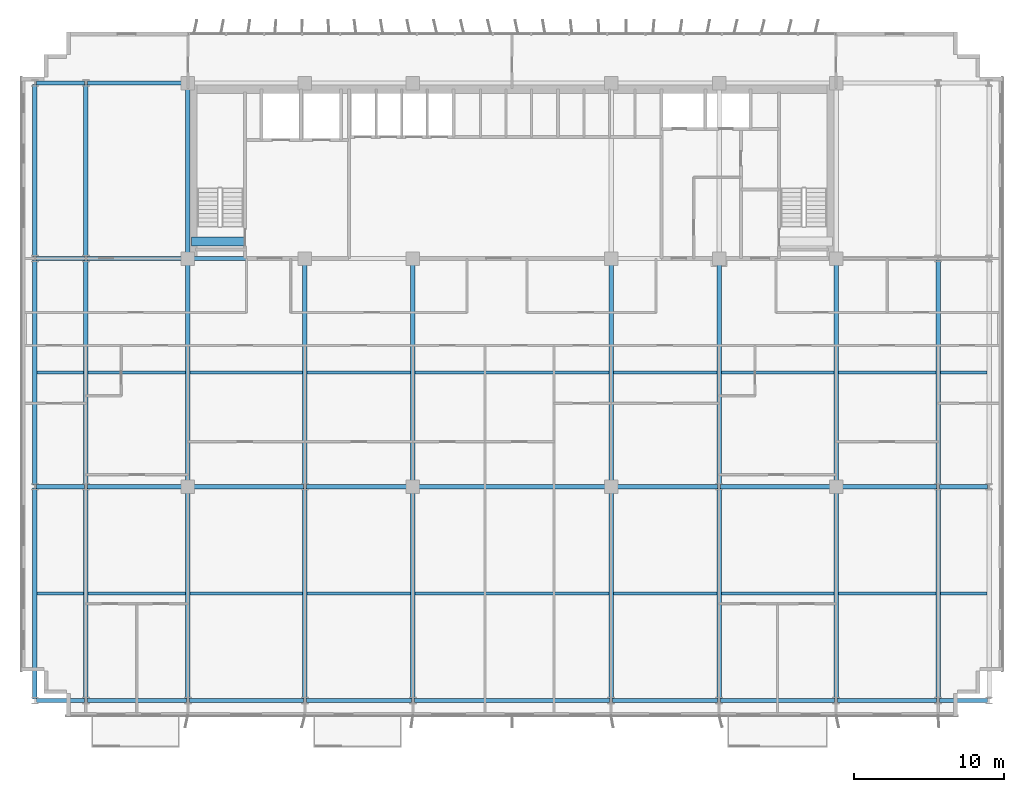
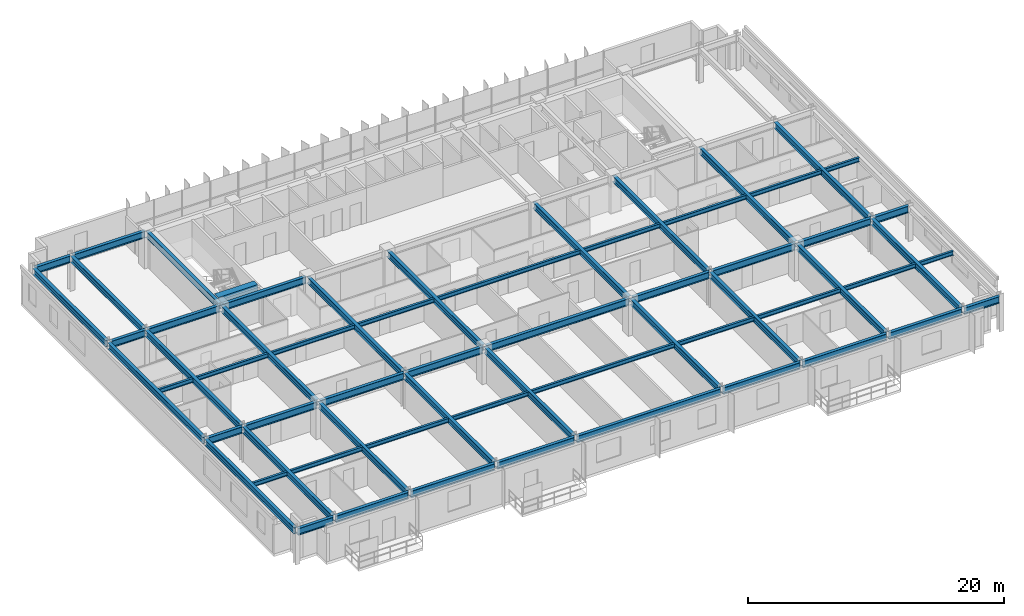
# One storey, part 4 of 22: 63 beams.
"""IFC4 building model written with IfcOpenShell, lengths in metres."""

from ifc_helpers import new_model, si_unit, direction, frame, origin, origin_2d, place, context, subcontext, project, spatial, rectangle, i_section, extrude, source, transform, mapped, material, material_profile, profile_set, type_object, element, save


model = new_model("IFC4")

# Units and contexts
model_context = context("Model", 3, precision=1e-05, world=origin(), true_north=direction((0.0, 1.0)))
body_context = subcontext(model_context, "Body", "Model", "MODEL_VIEW")
ifc_project = project(units=[si_unit("LENGTHUNIT", "METRE"), si_unit("AREAUNIT", "SQUARE_METRE"), si_unit("VOLUMEUNIT", "CUBIC_METRE"), si_unit("PLANEANGLEUNIT", "RADIAN"), si_unit("MASSUNIT", "GRAM", prefix="KILO")], contexts=[model_context])

# Site, building, storey
site_placement = place(None, origin())
site = spatial("IfcSite", under=ifc_project, at=site_placement, CompositionType="ELEMENT")
building_placement = place(site_placement, origin())
building = spatial("IfcBuilding", under=site, at=building_placement, Name="Trelvane Seafront Commons", CompositionType="ELEMENT")
storey_placement = place(building_placement, frame((0.0, 0.0, 55.89990234375)))
storey = spatial("IfcBuildingStorey", under=building, at=storey_placement, Name="L14", CompositionType="ELEMENT", Elevation=55.89990234375)

# Beams
ifc_material_1 = material(Name="Concrete C60/75", Category="concrete")
ifc_material_profile_1 = material_profile(ifc_material_1, rectangle(XDim=0.60009765625, YDim=0.89990234375, at=origin_2d()), Name="RC-600x900")
ifc_profile_set_1 = profile_set([ifc_material_profile_1], Name="Concrete C60/75")
beam_type_1 = type_object("IfcBeamType", Name="STR-LNT-RC600x900", PredefinedType="LINTEL", material=ifc_profile_set_1)
shared_shape_1 = source(origin(), body_context, "Body", "SweptSolid", [
    extrude(rectangle(XDim=0.60009765625, YDim=0.89990234375, at=origin_2d()), origin(), (0.0, 0.0, 1.0), 3.5498046875),
])
beam_1_placement = place(storey_placement, frame((15.85009765625, 34.550048828125, 2.89013671875), z_axis=(1.0, 0.0, 0.0), x_axis=(0.0, 1.0, 0.0)))
element("IfcBeam", 1, at=beam_1_placement, inside=storey, type_object=beam_type_1, Name="L14 Core Coupling Lintel Beam CB-85", PredefinedType="LINTEL", context=body_context, shape_type="MappedRepresentation", body=[
    mapped(shared_shape_1, transform((0.0, 0.0, 0.0), x_axis=(1.0, 0.0, 0.0), y_axis=(0.0, 1.0, 0.0), z_axis=(0.0, 0.0, 1.0), scale=1.0)),
])
ifc_material_2 = material(Name="Steel SM355 (S355)", Category="steel")
ifc_material_profile_2 = material_profile(ifc_material_2, i_section(OverallWidth=0.280029296875, OverallDepth=0.64990234375, WebThickness=0.012939453125, FlangeThickness=0.02197265625, at=origin_2d()), Name="H-650x280x13x22")
ifc_profile_set_2 = profile_set([ifc_material_profile_2], Name="Steel SM355 (S355)")
beam_type_2 = type_object("IfcBeamType", Name="STR-BM-H650", PredefinedType="BEAM", material=ifc_profile_set_2)
shared_shape_2 = source(origin(), body_context, "Body", "SweptSolid", [
    extrude(i_section(OverallWidth=0.280029296875, OverallDepth=0.64990234375, WebThickness=0.012939453125, FlangeThickness=0.02197265625, at=origin_2d()), origin(), (0.0, 0.0, 1.0), 3.190185546875),
])
for number, where, z_axis, x_axis, name in (
    (2, (5.5048828125, 3.949951171875, 3.01513671875), (1.0, 0.0, 0.0), (0.0, 1.0, 0.0), "L14 Primary Girder G-01"),
    (3, (5.5048828125, 18.199951171875, 3.01513671875), (1.0, 0.0, 0.0), (0.0, 1.0, 0.0), "L14 Primary Girder G-10"),
    (4, (5.5048828125, 33.39990234375, 3.01513671875), (1.0, 0.0, 0.0), (0.0, 1.0, 0.0), "L14 Primary Girder G-19"),
    (5, (5.5048828125, 45.10009765625, 3.01513671875), (1.0, 0.0, 0.0), (0.0, 1.0, 0.0), "L14 Primary Girder G-28"),
):
    element("IfcBeam", number, at=place(storey_placement, frame(where, z_axis=z_axis, x_axis=x_axis)), inside=storey, type_object=beam_type_2, Name=name, PredefinedType="BEAM", context=body_context, shape_type="MappedRepresentation", body=[
        mapped(shared_shape_2, transform((0.0, 0.0, 0.0), x_axis=(1.0, 0.0, 0.0), y_axis=(0.0, 1.0, 0.0), z_axis=(0.0, 0.0, 1.0), scale=1.0)),
    ])
shared_shape_3 = source(origin(), body_context, "Body", "SweptSolid", [
    extrude(i_section(OverallWidth=0.280029296875, OverallDepth=0.64990234375, WebThickness=0.012939453125, FlangeThickness=0.02197265625, at=origin_2d()), origin(), (0.0, 0.0, 1.0), 6.590087890625),
])
for number, where, z_axis, x_axis, name in (
    (6, (8.905029296875, 3.949951171875, 3.01513671875), (1.0, 0.0, 0.0), (0.0, 1.0, 0.0), "L14 Primary Girder G-02"),
    (7, (58.905029296875, 3.949951171875, 3.01513671875), (1.0, 0.0, 0.0), (0.0, 1.0, 0.0), "L14 Primary Girder G-08"),
):
    element("IfcBeam", number, at=place(storey_placement, frame(where, z_axis=z_axis, x_axis=x_axis)), inside=storey, type_object=beam_type_2, Name=name, PredefinedType="BEAM", context=body_context, shape_type="MappedRepresentation", body=[
        mapped(shared_shape_3, transform((0.0, 0.0, 0.0), x_axis=(1.0, 0.0, 0.0), y_axis=(0.0, 1.0, 0.0), z_axis=(0.0, 0.0, 1.0), scale=1.0)),
    ])
shared_shape_4 = source(origin(), body_context, "Body", "SweptSolid", [
    extrude(i_section(OverallWidth=0.280029296875, OverallDepth=0.64990234375, WebThickness=0.012939453125, FlangeThickness=0.02197265625, at=origin_2d()), origin(), (0.0, 0.0, 1.0), 7.58984375),
])
beam_2_placement = place(storey_placement, frame((15.705078125, 3.949951171875, 3.01513671875), z_axis=(1.0, 0.0, 0.0), x_axis=(0.0, 1.0, 0.0)))
element("IfcBeam", 8, at=beam_2_placement, inside=storey, type_object=beam_type_2, Name="L14 Primary Girder G-03", PredefinedType="BEAM", context=body_context, shape_type="MappedRepresentation", body=[
    mapped(shared_shape_4, transform((0.0, 0.0, 0.0), x_axis=(1.0, 0.0, 0.0), y_axis=(0.0, 1.0, 0.0), z_axis=(0.0, 0.0, 1.0), scale=1.0)),
])
shared_shape_5 = source(origin(), body_context, "Body", "SweptSolid", [
    extrude(i_section(OverallWidth=0.280029296875, OverallDepth=0.64990234375, WebThickness=0.012939453125, FlangeThickness=0.02197265625, at=origin_2d()), origin(), (0.0, 0.0, 1.0), 6.990234375),
])
beam_3_placement = place(storey_placement, frame((23.5048828125, 3.949951171875, 3.01513671875), z_axis=(1.0, 0.0, 0.0), x_axis=(0.0, 1.0, 0.0)))
element("IfcBeam", 9, at=beam_3_placement, inside=storey, type_object=beam_type_2, Name="L14 Primary Girder G-04", PredefinedType="BEAM", context=body_context, shape_type="MappedRepresentation", body=[
    mapped(shared_shape_5, transform((0.0, 0.0, 0.0), x_axis=(1.0, 0.0, 0.0), y_axis=(0.0, 1.0, 0.0), z_axis=(0.0, 0.0, 1.0), scale=1.0)),
])
shared_shape_6 = source(origin(), body_context, "Body", "SweptSolid", [
    extrude(i_section(OverallWidth=0.280029296875, OverallDepth=0.64990234375, WebThickness=0.012939453125, FlangeThickness=0.02197265625, at=origin_2d()), origin(), (0.0, 0.0, 1.0), 12.989990234375),
])
beam_4_placement = place(storey_placement, frame((30.705078125, 3.949951171875, 3.01513671875), z_axis=(1.0, 0.0, 0.0), x_axis=(0.0, 1.0, 0.0)))
element("IfcBeam", 10, at=beam_4_placement, inside=storey, type_object=beam_type_2, Name="L14 Primary Girder G-05", PredefinedType="BEAM", context=body_context, shape_type="MappedRepresentation", body=[
    mapped(shared_shape_6, transform((0.0, 0.0, 0.0), x_axis=(1.0, 0.0, 0.0), y_axis=(0.0, 1.0, 0.0), z_axis=(0.0, 0.0, 1.0), scale=1.0)),
])
shared_shape_7 = source(origin(), body_context, "Body", "SweptSolid", [
    extrude(i_section(OverallWidth=0.280029296875, OverallDepth=0.64990234375, WebThickness=0.012939453125, FlangeThickness=0.02197265625, at=origin_2d()), origin(), (0.0, 0.0, 1.0), 6.989990234375),
])
beam_5_placement = place(storey_placement, frame((43.905029296875, 3.949951171875, 3.01513671875), z_axis=(1.0, 0.0, 0.0), x_axis=(0.0, 1.0, 0.0)))
element("IfcBeam", 11, at=beam_5_placement, inside=storey, type_object=beam_type_2, Name="L14 Primary Girder G-06", PredefinedType="BEAM", context=body_context, shape_type="MappedRepresentation", body=[
    mapped(shared_shape_7, transform((0.0, 0.0, 0.0), x_axis=(1.0, 0.0, 0.0), y_axis=(0.0, 1.0, 0.0), z_axis=(0.0, 0.0, 1.0), scale=1.0)),
])
shared_shape_8 = source(origin(), body_context, "Body", "SweptSolid", [
    extrude(i_section(OverallWidth=0.280029296875, OverallDepth=0.64990234375, WebThickness=0.012939453125, FlangeThickness=0.02197265625, at=origin_2d()), origin(), (0.0, 0.0, 1.0), 7.590087890625),
])
beam_6_placement = place(storey_placement, frame((51.10498046875, 3.949951171875, 3.01513671875), z_axis=(1.0, 0.0, 0.0), x_axis=(0.0, 1.0, 0.0)))
element("IfcBeam", 12, at=beam_6_placement, inside=storey, type_object=beam_type_2, Name="L14 Primary Girder G-07", PredefinedType="BEAM", context=body_context, shape_type="MappedRepresentation", body=[
    mapped(shared_shape_8, transform((0.0, 0.0, 0.0), x_axis=(1.0, 0.0, 0.0), y_axis=(0.0, 1.0, 0.0), z_axis=(0.0, 0.0, 1.0), scale=1.0)),
])
shared_shape_9 = source(origin(), body_context, "Body", "SweptSolid", [
    extrude(i_section(OverallWidth=0.280029296875, OverallDepth=0.64990234375, WebThickness=0.012939453125, FlangeThickness=0.02197265625, at=origin_2d()), origin(), (0.0, 0.0, 1.0), 3.18994140625),
])
for number, where, z_axis, x_axis, name in (
    (13, (65.705078125, 3.949951171875, 3.01513671875), (1.0, 0.0, 0.0), (0.0, 1.0, 0.0), "L14 Primary Girder G-09"),
    (14, (65.705078125, 18.199951171875, 3.01513671875), (1.0, 0.0, 0.0), (0.0, 1.0, 0.0), "L14 Primary Girder G-18"),
):
    element("IfcBeam", number, at=place(storey_placement, frame(where, z_axis=z_axis, x_axis=x_axis)), inside=storey, type_object=beam_type_2, Name=name, PredefinedType="BEAM", context=body_context, shape_type="MappedRepresentation", body=[
        mapped(shared_shape_9, transform((0.0, 0.0, 0.0), x_axis=(1.0, 0.0, 0.0), y_axis=(0.0, 1.0, 0.0), z_axis=(0.0, 0.0, 1.0), scale=1.0)),
    ])
shared_shape_10 = source(origin(), body_context, "Body", "SweptSolid", [
    extrude(i_section(OverallWidth=0.280029296875, OverallDepth=0.64990234375, WebThickness=0.012939453125, FlangeThickness=0.02197265625, at=origin_2d()), origin(), (0.0, 0.0, 1.0), 6.544921875),
])
for number, where, z_axis, x_axis, name in (
    (15, (8.905029296875, 18.199951171875, 3.01513671875), (1.0, 0.0, 0.0), (0.0, 1.0, 0.0), "L14 Primary Girder G-11"),
    (16, (8.905029296875, 33.39990234375, 3.01513671875), (1.0, 0.0, 0.0), (0.0, 1.0, 0.0), "L14 Primary Girder G-20"),
    (17, (8.905029296875, 45.10009765625, 3.01513671875), (1.0, 0.0, 0.0), (0.0, 1.0, 0.0), "L14 Primary Girder G-29"),
):
    element("IfcBeam", number, at=place(storey_placement, frame(where, z_axis=z_axis, x_axis=x_axis)), inside=storey, type_object=beam_type_2, Name=name, PredefinedType="BEAM", context=body_context, shape_type="MappedRepresentation", body=[
        mapped(shared_shape_10, transform((0.0, 0.0, 0.0), x_axis=(1.0, 0.0, 0.0), y_axis=(0.0, 1.0, 0.0), z_axis=(0.0, 0.0, 1.0), scale=1.0)),
    ])
shared_shape_11 = source(origin(), body_context, "Body", "SweptSolid", [
    extrude(i_section(OverallWidth=0.280029296875, OverallDepth=0.64990234375, WebThickness=0.012939453125, FlangeThickness=0.02197265625, at=origin_2d()), origin(), (0.0, 0.0, 1.0), 7.544921875),
])
for number, where, z_axis, x_axis, name in (
    (18, (15.75, 18.199951171875, 3.01513671875), (1.0, 0.0, 0.0), (0.0, 1.0, 0.0), "L14 Primary Girder G-12"),
    (19, (51.10498046875, 18.199951171875, 3.01513671875), (1.0, 0.0, 0.0), (0.0, 1.0, 0.0), "L14 Primary Girder G-16"),
):
    element("IfcBeam", number, at=place(storey_placement, frame(where, z_axis=z_axis, x_axis=x_axis)), inside=storey, type_object=beam_type_2, Name=name, PredefinedType="BEAM", context=body_context, shape_type="MappedRepresentation", body=[
        mapped(shared_shape_11, transform((0.0, 0.0, 0.0), x_axis=(1.0, 0.0, 0.0), y_axis=(0.0, 1.0, 0.0), z_axis=(0.0, 0.0, 1.0), scale=1.0)),
    ])
shared_shape_12 = source(origin(), body_context, "Body", "SweptSolid", [
    extrude(i_section(OverallWidth=0.280029296875, OverallDepth=0.64990234375, WebThickness=0.012939453125, FlangeThickness=0.02197265625, at=origin_2d()), origin(), (0.0, 0.0, 1.0), 6.945068359375),
])
for number, where, z_axis, x_axis, name in (
    (20, (23.5048828125, 18.199951171875, 3.01513671875), (1.0, 0.0, 0.0), (0.0, 1.0, 0.0), "L14 Primary Girder G-13"),
    (21, (43.949951171875, 18.199951171875, 3.01513671875), (1.0, 0.0, 0.0), (0.0, 1.0, 0.0), "L14 Primary Girder G-15"),
):
    element("IfcBeam", number, at=place(storey_placement, frame(where, z_axis=z_axis, x_axis=x_axis)), inside=storey, type_object=beam_type_2, Name=name, PredefinedType="BEAM", context=body_context, shape_type="MappedRepresentation", body=[
        mapped(shared_shape_12, transform((0.0, 0.0, 0.0), x_axis=(1.0, 0.0, 0.0), y_axis=(0.0, 1.0, 0.0), z_axis=(0.0, 0.0, 1.0), scale=1.0)),
    ])
shared_shape_13 = source(origin(), body_context, "Body", "SweptSolid", [
    extrude(i_section(OverallWidth=0.280029296875, OverallDepth=0.64990234375, WebThickness=0.012939453125, FlangeThickness=0.02197265625, at=origin_2d()), origin(), (0.0, 0.0, 1.0), 12.89990234375),
])
beam_7_placement = place(storey_placement, frame((30.75, 18.199951171875, 3.01513671875), z_axis=(1.0, 0.0, 0.0), x_axis=(0.0, 1.0, 0.0)))
element("IfcBeam", 22, at=beam_7_placement, inside=storey, type_object=beam_type_2, Name="L14 Primary Girder G-14", PredefinedType="BEAM", context=body_context, shape_type="MappedRepresentation", body=[
    mapped(shared_shape_13, transform((0.0, 0.0, 0.0), x_axis=(1.0, 0.0, 0.0), y_axis=(0.0, 1.0, 0.0), z_axis=(0.0, 0.0, 1.0), scale=1.0)),
])
shared_shape_14 = source(origin(), body_context, "Body", "SweptSolid", [
    extrude(i_section(OverallWidth=0.280029296875, OverallDepth=0.64990234375, WebThickness=0.012939453125, FlangeThickness=0.02197265625, at=origin_2d()), origin(), (0.0, 0.0, 1.0), 6.545166015625),
])
beam_8_placement = place(storey_placement, frame((58.949951171875, 18.199951171875, 3.01513671875), z_axis=(1.0, 0.0, 0.0), x_axis=(0.0, 1.0, 0.0)))
element("IfcBeam", 23, at=beam_8_placement, inside=storey, type_object=beam_type_2, Name="L14 Primary Girder G-17", PredefinedType="BEAM", context=body_context, shape_type="MappedRepresentation", body=[
    mapped(shared_shape_14, transform((0.0, 0.0, 0.0), x_axis=(1.0, 0.0, 0.0), y_axis=(0.0, 1.0, 0.0), z_axis=(0.0, 0.0, 1.0), scale=1.0)),
])
shared_shape_15 = source(origin(), body_context, "Body", "SweptSolid", [
    extrude(i_section(OverallWidth=0.280029296875, OverallDepth=0.64990234375, WebThickness=0.012939453125, FlangeThickness=0.02197265625, at=origin_2d()), origin(), (0.0, 0.0, 1.0), 7.5),
])
beam_9_placement = place(storey_placement, frame((15.75, 33.39990234375, 3.01513671875), z_axis=(1.0, 0.0, 0.0), x_axis=(0.0, 1.0, 0.0)))
element("IfcBeam", 24, at=beam_9_placement, inside=storey, type_object=beam_type_2, Name="L14 Primary Girder G-21", PredefinedType="BEAM", context=body_context, shape_type="MappedRepresentation", body=[
    mapped(shared_shape_15, transform((0.0, 0.0, 0.0), x_axis=(1.0, 0.0, 0.0), y_axis=(0.0, 1.0, 0.0), z_axis=(0.0, 0.0, 1.0), scale=1.0)),
])
ifc_material_profile_3 = material_profile(ifc_material_2, i_section(OverallWidth=0.300048828125, OverallDepth=0.587890625, WebThickness=0.011962890625, FlangeThickness=0.02001953125, at=origin_2d()), Name="H-588x300x12x20")
ifc_profile_set_3 = profile_set([ifc_material_profile_3], Name="Steel SM355 (S355)")
beam_type_3 = type_object("IfcBeamType", Name="STR-BM-H588", PredefinedType="BEAM", material=ifc_profile_set_3)
shared_shape_16 = source(origin(), body_context, "Body", "SweptSolid", [
    extrude(i_section(OverallWidth=0.300048828125, OverallDepth=0.587890625, WebThickness=0.011962890625, FlangeThickness=0.02001953125, at=origin_2d()), origin(), (0.0, 0.0, 1.0), 14.0400390625),
])
for number, where, z_axis, x_axis, name in (
    (25, (5.39990234375, 4.054931640625, 3.046142578125), (0.0, 1.0, 0.0), (-1.0, 0.0, 0.0), "L14 Primary Girder G-37"),
    (26, (8.800048828125, 4.054931640625, 3.046142578125), (0.0, 1.0, 0.0), (-1.0, 0.0, 0.0), "L14 Primary Girder G-40"),
    (27, (23.39990234375, 4.054931640625, 3.046142578125), (0.0, 1.0, 0.0), (-1.0, 0.0, 0.0), "L14 Primary Girder G-46"),
    (28, (51.0, 4.054931640625, 3.046142578125), (0.0, 1.0, 0.0), (-1.0, 0.0, 0.0), "L14 Primary Girder G-55"),
    (29, (65.60009765625, 4.054931640625, 3.046142578125), (0.0, 1.0, 0.0), (-1.0, 0.0, 0.0), "L14 Primary Girder G-61"),
):
    element("IfcBeam", number, at=place(storey_placement, frame(where, z_axis=z_axis, x_axis=x_axis)), inside=storey, type_object=beam_type_3, Name=name, PredefinedType="BEAM", context=body_context, shape_type="MappedRepresentation", body=[
        mapped(shared_shape_16, transform((0.0, 0.0, 0.0), x_axis=(1.0, 0.0, 0.0), y_axis=(0.0, 1.0, 0.0), z_axis=(0.0, 0.0, 1.0), scale=1.0)),
    ])
shared_shape_17 = source(origin(), body_context, "Body", "SweptSolid", [
    extrude(i_section(OverallWidth=0.300048828125, OverallDepth=0.587890625, WebThickness=0.011962890625, FlangeThickness=0.02001953125, at=origin_2d()), origin(), (0.0, 0.0, 1.0), 14.989990234375),
])
for number, where, z_axis, x_axis, name in (
    (30, (5.39990234375, 18.304931640625, 3.046142578125), (0.0, 1.0, 0.0), (-1.0, 0.0, 0.0), "L14 Primary Girder G-38"),
    (31, (8.800048828125, 18.304931640625, 3.046142578125), (0.0, 1.0, 0.0), (-1.0, 0.0, 0.0), "L14 Primary Girder G-41"),
    (32, (65.60009765625, 18.304931640625, 3.046142578125), (0.0, 1.0, 0.0), (-1.0, 0.0, 0.0), "L14 Primary Girder G-62"),
):
    element("IfcBeam", number, at=place(storey_placement, frame(where, z_axis=z_axis, x_axis=x_axis)), inside=storey, type_object=beam_type_3, Name=name, PredefinedType="BEAM", context=body_context, shape_type="MappedRepresentation", body=[
        mapped(shared_shape_17, transform((0.0, 0.0, 0.0), x_axis=(1.0, 0.0, 0.0), y_axis=(0.0, 1.0, 0.0), z_axis=(0.0, 0.0, 1.0), scale=1.0)),
    ])
shared_shape_18 = source(origin(), body_context, "Body", "SweptSolid", [
    extrude(i_section(OverallWidth=0.300048828125, OverallDepth=0.587890625, WebThickness=0.011962890625, FlangeThickness=0.02001953125, at=origin_2d()), origin(), (0.0, 0.0, 1.0), 11.490234375),
])
for number, where, z_axis, x_axis, name in (
    (33, (5.39990234375, 33.5048828125, 3.046142578125), (0.0, 1.0, 0.0), (-1.0, 0.0, 0.0), "L14 Primary Girder G-39"),
    (34, (8.800048828125, 33.5048828125, 3.046142578125), (0.0, 1.0, 0.0), (-1.0, 0.0, 0.0), "L14 Primary Girder G-42"),
):
    element("IfcBeam", number, at=place(storey_placement, frame(where, z_axis=z_axis, x_axis=x_axis)), inside=storey, type_object=beam_type_3, Name=name, PredefinedType="BEAM", context=body_context, shape_type="MappedRepresentation", body=[
        mapped(shared_shape_18, transform((0.0, 0.0, 0.0), x_axis=(1.0, 0.0, 0.0), y_axis=(0.0, 1.0, 0.0), z_axis=(0.0, 0.0, 1.0), scale=1.0)),
    ])
shared_shape_19 = source(origin(), body_context, "Body", "SweptSolid", [
    extrude(i_section(OverallWidth=0.300048828125, OverallDepth=0.587890625, WebThickness=0.011962890625, FlangeThickness=0.02001953125, at=origin_2d()), origin(), (0.0, 0.0, 1.0), 13.9951171875),
])
for number, where, z_axis, x_axis, name in (
    (35, (15.60009765625, 4.054931640625, 3.046142578125), (0.0, 1.0, 0.0), (-1.0, 0.0, 0.0), "L14 Primary Girder G-43"),
    (36, (30.60009765625, 4.054931640625, 3.046142578125), (0.0, 1.0, 0.0), (-1.0, 0.0, 0.0), "L14 Primary Girder G-49"),
    (37, (43.800048828125, 4.054931640625, 3.046142578125), (0.0, 1.0, 0.0), (-1.0, 0.0, 0.0), "L14 Primary Girder G-52"),
    (38, (58.800048828125, 4.054931640625, 3.046142578125), (0.0, 1.0, 0.0), (-1.0, 0.0, 0.0), "L14 Primary Girder G-58"),
):
    element("IfcBeam", number, at=place(storey_placement, frame(where, z_axis=z_axis, x_axis=x_axis)), inside=storey, type_object=beam_type_3, Name=name, PredefinedType="BEAM", context=body_context, shape_type="MappedRepresentation", body=[
        mapped(shared_shape_19, transform((0.0, 0.0, 0.0), x_axis=(1.0, 0.0, 0.0), y_axis=(0.0, 1.0, 0.0), z_axis=(0.0, 0.0, 1.0), scale=1.0)),
    ])
shared_shape_20 = source(origin(), body_context, "Body", "SweptSolid", [
    extrude(i_section(OverallWidth=0.300048828125, OverallDepth=0.587890625, WebThickness=0.011962890625, FlangeThickness=0.02001953125, at=origin_2d()), origin(), (0.0, 0.0, 1.0), 14.89990234375),
])
for number, where, z_axis, x_axis, name in (
    (39, (15.60009765625, 18.35009765625, 3.046142578125), (0.0, 1.0, 0.0), (-1.0, 0.0, 0.0), "L14 Primary Girder G-44"),
    (40, (30.60009765625, 18.35009765625, 3.046142578125), (0.0, 1.0, 0.0), (-1.0, 0.0, 0.0), "L14 Primary Girder G-50"),
    (41, (43.800048828125, 18.35009765625, 3.046142578125), (0.0, 1.0, 0.0), (-1.0, 0.0, 0.0), "L14 Primary Girder G-53"),
    (42, (58.800048828125, 18.35009765625, 3.046142578125), (0.0, 1.0, 0.0), (-1.0, 0.0, 0.0), "L14 Primary Girder G-59"),
):
    element("IfcBeam", number, at=place(storey_placement, frame(where, z_axis=z_axis, x_axis=x_axis)), inside=storey, type_object=beam_type_3, Name=name, PredefinedType="BEAM", context=body_context, shape_type="MappedRepresentation", body=[
        mapped(shared_shape_20, transform((0.0, 0.0, 0.0), x_axis=(1.0, 0.0, 0.0), y_axis=(0.0, 1.0, 0.0), z_axis=(0.0, 0.0, 1.0), scale=1.0)),
    ])
shared_shape_21 = source(origin(), body_context, "Body", "SweptSolid", [
    extrude(i_section(OverallWidth=0.300048828125, OverallDepth=0.587890625, WebThickness=0.011962890625, FlangeThickness=0.02001953125, at=origin_2d()), origin(), (0.0, 0.0, 1.0), 11.39990234375),
])
beam_10_placement = place(storey_placement, frame((15.60009765625, 33.550048828125, 3.046142578125), z_axis=(0.0, 1.0, 0.0), x_axis=(-1.0, 0.0, 0.0)))
element("IfcBeam", 43, at=beam_10_placement, inside=storey, type_object=beam_type_3, Name="L14 Primary Girder G-45", PredefinedType="BEAM", context=body_context, shape_type="MappedRepresentation", body=[
    mapped(shared_shape_21, transform((0.0, 0.0, 0.0), x_axis=(1.0, 0.0, 0.0), y_axis=(0.0, 1.0, 0.0), z_axis=(0.0, 0.0, 1.0), scale=1.0)),
])
shared_shape_22 = source(origin(), body_context, "Body", "SweptSolid", [
    extrude(i_section(OverallWidth=0.300048828125, OverallDepth=0.587890625, WebThickness=0.011962890625, FlangeThickness=0.02001953125, at=origin_2d()), origin(), (0.0, 0.0, 1.0), 14.945068359375),
])
for number, where, z_axis, x_axis, name in (
    (44, (23.39990234375, 18.304931640625, 3.046142578125), (0.0, 1.0, 0.0), (-1.0, 0.0, 0.0), "L14 Primary Girder G-47"),
    (45, (51.0, 18.304931640625, 3.046142578125), (0.0, 1.0, 0.0), (-1.0, 0.0, 0.0), "L14 Primary Girder G-56"),
):
    element("IfcBeam", number, at=place(storey_placement, frame(where, z_axis=z_axis, x_axis=x_axis)), inside=storey, type_object=beam_type_3, Name=name, PredefinedType="BEAM", context=body_context, shape_type="MappedRepresentation", body=[
        mapped(shared_shape_22, transform((0.0, 0.0, 0.0), x_axis=(1.0, 0.0, 0.0), y_axis=(0.0, 1.0, 0.0), z_axis=(0.0, 0.0, 1.0), scale=1.0)),
    ])
ifc_material_profile_4 = material_profile(ifc_material_2, i_section(OverallWidth=0.199951171875, OverallDepth=0.39990234375, WebThickness=0.008056640625, FlangeThickness=0.012939453125, at=origin_2d()), Name="H-400x200x8x13")
ifc_profile_set_4 = profile_set([ifc_material_profile_4], Name="Steel SM355 (S355)")
beam_type_4 = type_object("IfcBeamType", Name="STR-JST-H400", PredefinedType="JOIST", material=ifc_profile_set_4)
shared_shape_23 = source(origin(), body_context, "Body", "SweptSolid", [
    extrude(i_section(OverallWidth=0.199951171875, OverallDepth=0.39990234375, WebThickness=0.008056640625, FlangeThickness=0.012939453125, at=origin_2d()), origin(), (0.0, 0.0, 1.0), 3.099853515625),
])
for number, where, z_axis, x_axis, name in (
    (46, (5.550048828125, 11.074951171875, 3.14013671875), (1.0, 0.0, 0.0), (0.0, 1.0, 0.0), "L14 Secondary Floor Joist B-67"),
    (47, (5.550048828125, 25.800048828125, 3.14013671875), (1.0, 0.0, 0.0), (0.0, 1.0, 0.0), "L14 Secondary Floor Joist B-76"),
):
    element("IfcBeam", number, at=place(storey_placement, frame(where, z_axis=z_axis, x_axis=x_axis)), inside=storey, type_object=beam_type_4, Name=name, PredefinedType="JOIST", context=body_context, shape_type="MappedRepresentation", body=[
        mapped(shared_shape_23, transform((0.0, 0.0, 0.0), x_axis=(1.0, 0.0, 0.0), y_axis=(0.0, 1.0, 0.0), z_axis=(0.0, 0.0, 1.0), scale=1.0)),
    ])
shared_shape_24 = source(origin(), body_context, "Body", "SweptSolid", [
    extrude(i_section(OverallWidth=0.199951171875, OverallDepth=0.39990234375, WebThickness=0.008056640625, FlangeThickness=0.012939453125, at=origin_2d()), origin(), (0.0, 0.0, 1.0), 6.5),
])
for number, where, z_axis, x_axis, name in (
    (48, (8.949951171875, 11.074951171875, 3.14013671875), (1.0, 0.0, 0.0), (0.0, 1.0, 0.0), "L14 Secondary Floor Joist B-68"),
    (49, (58.949951171875, 11.074951171875, 3.14013671875), (1.0, 0.0, 0.0), (0.0, 1.0, 0.0), "L14 Secondary Floor Joist B-74"),
    (50, (8.949951171875, 25.800048828125, 3.14013671875), (1.0, 0.0, 0.0), (0.0, 1.0, 0.0), "L14 Secondary Floor Joist B-77"),
    (51, (58.949951171875, 25.800048828125, 3.14013671875), (1.0, 0.0, 0.0), (0.0, 1.0, 0.0), "L14 Secondary Floor Joist B-83"),
):
    element("IfcBeam", number, at=place(storey_placement, frame(where, z_axis=z_axis, x_axis=x_axis)), inside=storey, type_object=beam_type_4, Name=name, PredefinedType="JOIST", context=body_context, shape_type="MappedRepresentation", body=[
        mapped(shared_shape_24, transform((0.0, 0.0, 0.0), x_axis=(1.0, 0.0, 0.0), y_axis=(0.0, 1.0, 0.0), z_axis=(0.0, 0.0, 1.0), scale=1.0)),
    ])
shared_shape_25 = source(origin(), body_context, "Body", "SweptSolid", [
    extrude(i_section(OverallWidth=0.199951171875, OverallDepth=0.39990234375, WebThickness=0.008056640625, FlangeThickness=0.012939453125, at=origin_2d()), origin(), (0.0, 0.0, 1.0), 7.5),
])
for number, where, z_axis, x_axis, name in (
    (52, (15.75, 11.074951171875, 3.14013671875), (1.0, 0.0, 0.0), (0.0, 1.0, 0.0), "L14 Secondary Floor Joist B-69"),
    (53, (51.14990234375, 11.074951171875, 3.14013671875), (1.0, 0.0, 0.0), (0.0, 1.0, 0.0), "L14 Secondary Floor Joist B-73"),
    (54, (15.75, 25.800048828125, 3.14013671875), (1.0, 0.0, 0.0), (0.0, 1.0, 0.0), "L14 Secondary Floor Joist B-78"),
    (55, (51.14990234375, 25.800048828125, 3.14013671875), (1.0, 0.0, 0.0), (0.0, 1.0, 0.0), "L14 Secondary Floor Joist B-82"),
):
    element("IfcBeam", number, at=place(storey_placement, frame(where, z_axis=z_axis, x_axis=x_axis)), inside=storey, type_object=beam_type_4, Name=name, PredefinedType="JOIST", context=body_context, shape_type="MappedRepresentation", body=[
        mapped(shared_shape_25, transform((0.0, 0.0, 0.0), x_axis=(1.0, 0.0, 0.0), y_axis=(0.0, 1.0, 0.0), z_axis=(0.0, 0.0, 1.0), scale=1.0)),
    ])
shared_shape_26 = source(origin(), body_context, "Body", "SweptSolid", [
    extrude(i_section(OverallWidth=0.199951171875, OverallDepth=0.39990234375, WebThickness=0.008056640625, FlangeThickness=0.012939453125, at=origin_2d()), origin(), (0.0, 0.0, 1.0), 6.89990234375),
])
for number, where, z_axis, x_axis, name in (
    (56, (23.550048828125, 11.074951171875, 3.14013671875), (1.0, 0.0, 0.0), (0.0, 1.0, 0.0), "L14 Secondary Floor Joist B-70"),
    (57, (23.550048828125, 25.800048828125, 3.14013671875), (1.0, 0.0, 0.0), (0.0, 1.0, 0.0), "L14 Secondary Floor Joist B-79"),
):
    element("IfcBeam", number, at=place(storey_placement, frame(where, z_axis=z_axis, x_axis=x_axis)), inside=storey, type_object=beam_type_4, Name=name, PredefinedType="JOIST", context=body_context, shape_type="MappedRepresentation", body=[
        mapped(shared_shape_26, transform((0.0, 0.0, 0.0), x_axis=(1.0, 0.0, 0.0), y_axis=(0.0, 1.0, 0.0), z_axis=(0.0, 0.0, 1.0), scale=1.0)),
    ])
shared_shape_27 = source(origin(), body_context, "Body", "SweptSolid", [
    extrude(i_section(OverallWidth=0.199951171875, OverallDepth=0.39990234375, WebThickness=0.008056640625, FlangeThickness=0.012939453125, at=origin_2d()), origin(), (0.0, 0.0, 1.0), 12.89990234375),
])
for number, where, z_axis, x_axis, name in (
    (58, (30.75, 11.074951171875, 3.14013671875), (1.0, 0.0, 0.0), (0.0, 1.0, 0.0), "L14 Secondary Floor Joist B-71"),
    (59, (30.75, 25.800048828125, 3.14013671875), (1.0, 0.0, 0.0), (0.0, 1.0, 0.0), "L14 Secondary Floor Joist B-80"),
):
    element("IfcBeam", number, at=place(storey_placement, frame(where, z_axis=z_axis, x_axis=x_axis)), inside=storey, type_object=beam_type_4, Name=name, PredefinedType="JOIST", context=body_context, shape_type="MappedRepresentation", body=[
        mapped(shared_shape_27, transform((0.0, 0.0, 0.0), x_axis=(1.0, 0.0, 0.0), y_axis=(0.0, 1.0, 0.0), z_axis=(0.0, 0.0, 1.0), scale=1.0)),
    ])
shared_shape_28 = source(origin(), body_context, "Body", "SweptSolid", [
    extrude(i_section(OverallWidth=0.199951171875, OverallDepth=0.39990234375, WebThickness=0.008056640625, FlangeThickness=0.012939453125, at=origin_2d()), origin(), (0.0, 0.0, 1.0), 6.900146484375),
])
for number, where, z_axis, x_axis, name in (
    (60, (43.949951171875, 11.074951171875, 3.14013671875), (1.0, 0.0, 0.0), (0.0, 1.0, 0.0), "L14 Secondary Floor Joist B-72"),
    (61, (43.949951171875, 25.800048828125, 3.14013671875), (1.0, 0.0, 0.0), (0.0, 1.0, 0.0), "L14 Secondary Floor Joist B-81"),
):
    element("IfcBeam", number, at=place(storey_placement, frame(where, z_axis=z_axis, x_axis=x_axis)), inside=storey, type_object=beam_type_4, Name=name, PredefinedType="JOIST", context=body_context, shape_type="MappedRepresentation", body=[
        mapped(shared_shape_28, transform((0.0, 0.0, 0.0), x_axis=(1.0, 0.0, 0.0), y_axis=(0.0, 1.0, 0.0), z_axis=(0.0, 0.0, 1.0), scale=1.0)),
    ])
shared_shape_29 = source(origin(), body_context, "Body", "SweptSolid", [
    extrude(i_section(OverallWidth=0.199951171875, OverallDepth=0.39990234375, WebThickness=0.008056640625, FlangeThickness=0.012939453125, at=origin_2d()), origin(), (0.0, 0.0, 1.0), 3.10009765625),
])
for number, where, z_axis, x_axis, name in (
    (62, (65.75, 11.074951171875, 3.14013671875), (1.0, 0.0, 0.0), (0.0, 1.0, 0.0), "L14 Secondary Floor Joist B-75"),
    (63, (65.75, 25.800048828125, 3.14013671875), (1.0, 0.0, 0.0), (0.0, 1.0, 0.0), "L14 Secondary Floor Joist B-84"),
):
    element("IfcBeam", number, at=place(storey_placement, frame(where, z_axis=z_axis, x_axis=x_axis)), inside=storey, type_object=beam_type_4, Name=name, PredefinedType="JOIST", context=body_context, shape_type="MappedRepresentation", body=[
        mapped(shared_shape_29, transform((0.0, 0.0, 0.0), x_axis=(1.0, 0.0, 0.0), y_axis=(0.0, 1.0, 0.0), z_axis=(0.0, 0.0, 1.0), scale=1.0)),
    ])

save(model, "model.ifc")
